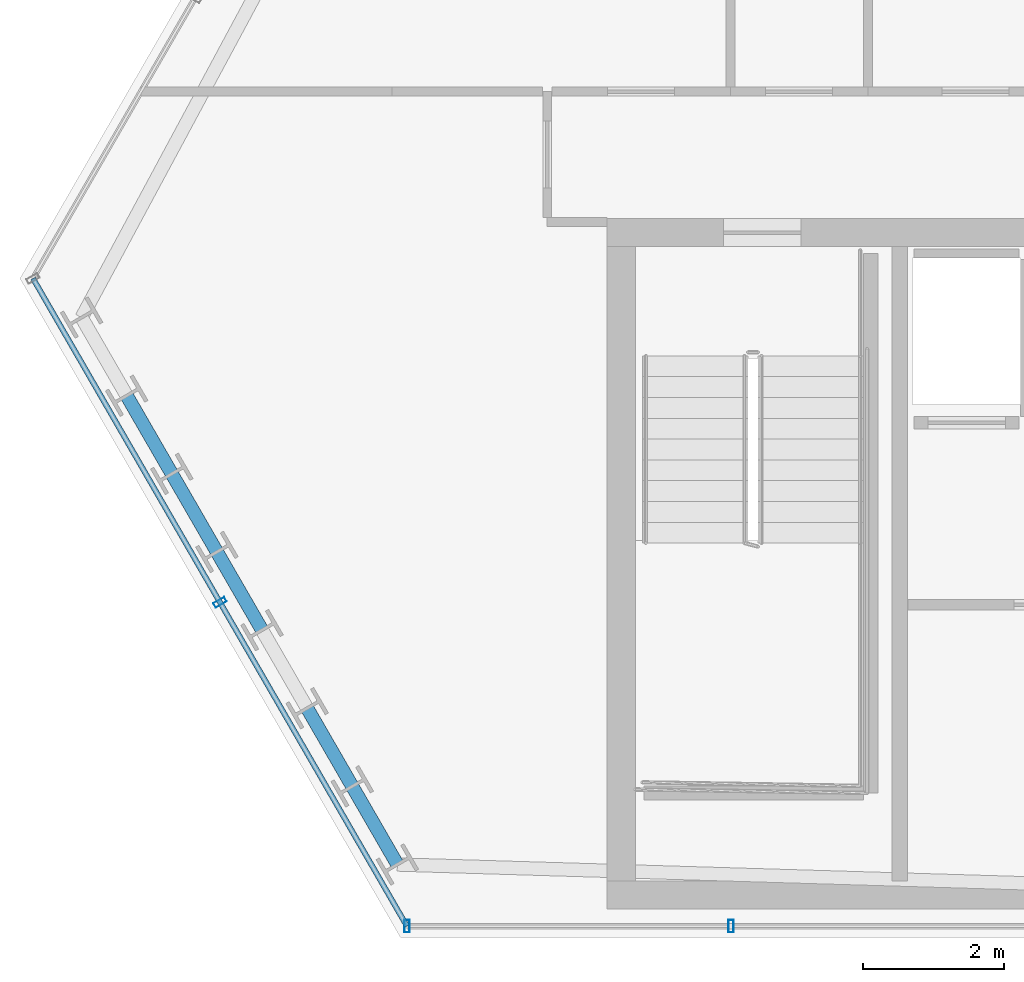
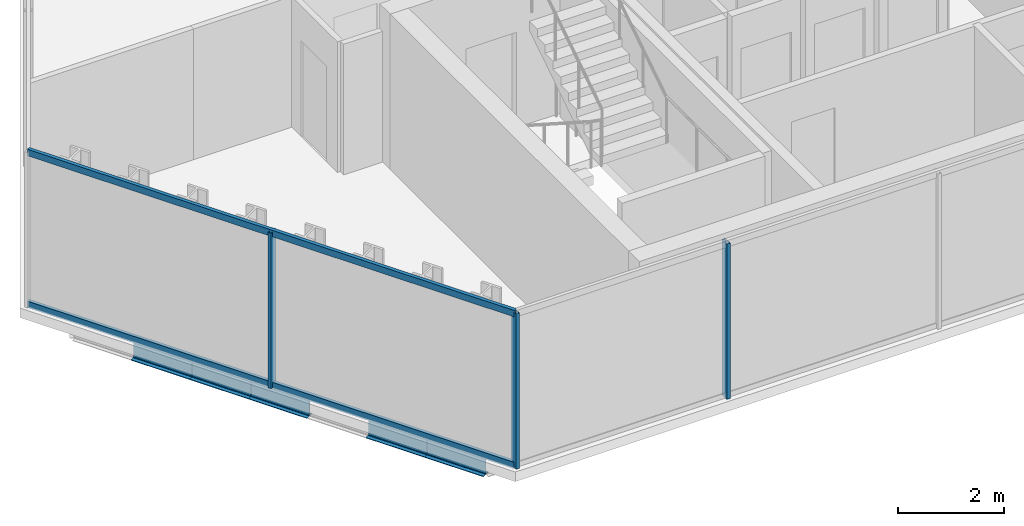
# One storey, part 2 of 33: 5 beams, 5 members, 2 elements without a shape of their own.
"""IFC4 building model written with IfcOpenShell, lengths in metres."""

from ifc_helpers import new_model, si_unit, direction, frame, origin, origin_2d, place, context, subcontext, project, spatial, hollow_rectangle, i_section, extrude, material, layer, layer_set, material_profile, profile_set, type_object, element, aggregate, save


model = new_model("IFC4")

# Units and contexts
model_context = context("Model", 3, precision=1e-05, world=origin(), true_north=direction((0.0, 1.0)))
body_context = subcontext(model_context, "Body", "Model", "MODEL_VIEW")
ifc_project = project(units=[si_unit("LENGTHUNIT", "METRE"), si_unit("AREAUNIT", "SQUARE_METRE"), si_unit("VOLUMEUNIT", "CUBIC_METRE"), si_unit("PLANEANGLEUNIT", "RADIAN"), si_unit("MASSUNIT", "GRAM", prefix="KILO")], contexts=[model_context])

# Site, building, storey
site_placement = place(None, origin())
site = spatial("IfcSite", under=ifc_project, at=site_placement, CompositionType="ELEMENT")
building_placement = place(site_placement, origin())
building = spatial("IfcBuilding", under=site, at=building_placement, Name="Ndaravel Arena Tower", CompositionType="ELEMENT")
storey_placement = place(building_placement, frame((0.0, 0.0, 165.0)))
storey = spatial("IfcBuildingStorey", under=building, at=storey_placement, Name="L39", CompositionType="ELEMENT", Elevation=165.0)

# Beams
ifc_material_1 = material(Name="Steel S355", Category="steel")
ifc_material_profile_1 = material_profile(ifc_material_1, i_section(OverallWidth=0.18994140625, OverallDepth=0.449951171875, WebThickness=0.009521484375, FlangeThickness=0.0146484375, FilletRadius=0.02099609375, at=origin_2d()), Name="IPE 450")
ifc_profile_set_1 = profile_set([ifc_material_profile_1], Name="Steel S355")
beam_type = type_object("IfcBeamType", Name="BM-SPAN-IPE450", PredefinedType="SPANDREL", material=ifc_profile_set_1)
beam_1_placement = place(storey_placement, frame((19.634033203125, 12.685546875, -0.445068359375), z_axis=(0.500036104519, -0.866004557827, 0.0), x_axis=(0.866004557827, 0.500036104519, 0.0)))
element("IfcBeam", 1, at=beam_1_placement, inside=storey, type_object=beam_type, Name="L39 Perimeter Spandrel Beam SP-21", PredefinedType="SPANDREL", context=body_context, shape_type="SweptSolid", body=[
    extrude(i_section(OverallWidth=0.18994140625, OverallDepth=0.449951171875, WebThickness=0.009521484375, FlangeThickness=0.0146484375, FilletRadius=0.02099609375, at=origin_2d()), origin(), (0.0, 0.0, 1.0), 1.2802734375),
])
beam_2_placement = place(storey_placement, frame((20.274169921875, 11.576904296875, -0.445068359375), z_axis=(0.499975646431, -0.866039463868, 0.0), x_axis=(0.866039463868, 0.499975646431, 0.0)))
element("IfcBeam", 2, at=beam_2_placement, inside=storey, type_object=beam_type, Name="L39 Perimeter Spandrel Beam SP-22", PredefinedType="SPANDREL", context=body_context, shape_type="SweptSolid", body=[
    extrude(i_section(OverallWidth=0.18994140625, OverallDepth=0.449951171875, WebThickness=0.009521484375, FlangeThickness=0.0146484375, FilletRadius=0.02099609375, at=origin_2d()), origin(), (0.0, 0.0, 1.0), 1.27978515625),
])
for number, where, z_axis, x_axis, name in (
    (3, (20.9140625, 10.468505859375, -0.445068359375), (0.500036104519, -0.866004557827, 0.0), (0.866004557827, 0.500036104519, 0.0), "L39 Perimeter Spandrel Beam SP-23"),
    (4, (22.194091796875, 8.25146484375, -0.445068359375), (0.500036104519, -0.866004557827, 0.0), (0.866004557827, 0.500036104519, 0.0), "L39 Perimeter Spandrel Beam SP-25"),
):
    element("IfcBeam", number, at=place(storey_placement, frame(where, z_axis=z_axis, x_axis=x_axis)), inside=storey, type_object=beam_type, Name=name, PredefinedType="SPANDREL", context=body_context, shape_type="SweptSolid", body=[
        extrude(i_section(OverallWidth=0.18994140625, OverallDepth=0.449951171875, WebThickness=0.009521484375, FlangeThickness=0.0146484375, FilletRadius=0.02099609375, at=origin_2d()), origin(), (0.0, 0.0, 1.0), 1.2802734375),
    ])
beam_3_placement = place(storey_placement, frame((22.834228515625, 7.142822265625, -0.445068359375), z_axis=(0.499893060024, -0.866087136806, 0.0), x_axis=(0.866087136806, 0.499893060024, 0.0)))
element("IfcBeam", 5, at=beam_3_placement, inside=storey, type_object=beam_type, Name="L39 Perimeter Spandrel Beam SP-26", PredefinedType="SPANDREL", context=body_context, shape_type="SweptSolid", body=[
    extrude(i_section(OverallWidth=0.18994140625, OverallDepth=0.449951171875, WebThickness=0.009521484375, FlangeThickness=0.0146484375, FilletRadius=0.02099609375, at=origin_2d()), origin(), (0.0, 0.0, 1.0), 1.280029296875),
])

# Curtain wall, members
ifc_material_2 = material(Name="Aluminium", Category="aluminium")
ifc_layer_1 = layer(ifc_material_2, 0.179931640625)
ifc_layer_set_1 = layer_set([ifc_layer_1], Name="Aluminium")
curtain_wall_type_1 = type_object("IfcCurtainWallType", Name="CW-SYS-03", PredefinedType="NOTDEFINED", material=ifc_layer_set_1)
curtain_wall_1_placement = place(storey_placement, origin())
curtain_wall_1 = element("IfcCurtainWall", 6, at=curtain_wall_1_placement, inside=storey, type_object=curtain_wall_type_1, Name="L39 Faceted Crystal Curtain Wall CW-L39-E01", PredefinedType="NOTDEFINED")
ifc_material_3 = material(Name="Aluminium", Category="aluminium")
ifc_material_profile_2 = material_profile(ifc_material_3, hollow_rectangle(XDim=0.074951171875, YDim=0.179931640625, WallThickness=0.00390625, at=origin_2d()), Name="CW MULLION 75x180x4")
ifc_profile_set_2 = profile_set([ifc_material_profile_2], Name="Aluminium")
member_type_1 = type_object("IfcMemberType", Name="MEM-CW-MUL180", PredefinedType="MULLION", material=ifc_profile_set_2)
member_1_placement = place(storey_placement, frame((23.609619140625, 5.159912109375, 0.0), z_axis=(0.0, 0.0, 1.0), x_axis=(1.0, 0.0, 0.0)))
member_1 = element("IfcMember", 7, at=member_1_placement, type_object=member_type_1, Name="CW-L39-E01 Mullion 00", PredefinedType="MULLION", context=body_context, shape_type="SweptSolid", body=[
    extrude(hollow_rectangle(XDim=0.074951171875, YDim=0.179931640625, WallThickness=0.00390625, at=origin_2d()), origin(), (0.0, 0.0, 1.0), 3.580078125),
])
member_2_placement = place(storey_placement, frame((28.20703125, 5.159912109375, 0.0), z_axis=(0.0, 0.0, 1.0), x_axis=(1.0, 0.0, 0.0)))
member_2 = element("IfcMember", 8, at=member_2_placement, type_object=member_type_1, Name="CW-L39-E01 Mullion 01", PredefinedType="MULLION", context=body_context, shape_type="SweptSolid", body=[
    extrude(hollow_rectangle(XDim=0.074951171875, YDim=0.179931640625, WallThickness=0.00390625, at=origin_2d()), origin(), (0.0, 0.0, 1.0), 3.580078125),
])
aggregate(curtain_wall_1, [member_1, member_2])

ifc_material_4 = material(Name="Aluminium", Category="aluminium")
ifc_layer_2 = layer(ifc_material_4, 0.179931640625)
ifc_layer_set_2 = layer_set([ifc_layer_2], Name="Aluminium")
curtain_wall_type_2 = type_object("IfcCurtainWallType", Name="CW-SYS-02", PredefinedType="NOTDEFINED", material=ifc_layer_set_2)
curtain_wall_2_placement = place(storey_placement, origin())
curtain_wall_2 = element("IfcCurtainWall", 9, at=curtain_wall_2_placement, inside=storey, type_object=curtain_wall_type_2, Name="L39 Faceted Crystal Curtain Wall CW-L39-E06", PredefinedType="NOTDEFINED")
member_3_placement = place(storey_placement, frame((20.95703125, 9.754150390625, 0.0), z_axis=(0.0, 0.0, 1.0), x_axis=(0.5, -0.866025403784, 0.0)))
member_3 = element("IfcMember", 10, at=member_3_placement, type_object=member_type_1, Name="CW-L39-E06 Mullion 01", PredefinedType="MULLION", context=body_context, shape_type="SweptSolid", body=[
    extrude(hollow_rectangle(XDim=0.074951171875, YDim=0.179931640625, WallThickness=0.00390625, at=origin_2d()), origin(), (0.0, 0.0, 1.0), 3.580078125),
])
ifc_material_5 = material(Name="Aluminium", Category="aluminium")
ifc_material_profile_3 = material_profile(ifc_material_5, hollow_rectangle(XDim=0.074951171875, YDim=0.14990234375, WallThickness=0.00390625, at=origin_2d()), Name="CW TRANSOM 75x150x4")
ifc_profile_set_3 = profile_set([ifc_material_profile_3], Name="Aluminium")
member_type_2 = type_object("IfcMemberType", Name="MEM-CW-TRN150", PredefinedType="USERDEFINED", material=ifc_profile_set_3)
member_4_placement = place(storey_placement, frame((18.3046875, 14.348388671875, 0.0400390625), z_axis=(0.499997329654, -0.866026945504, 0.0), x_axis=(0.866026945504, 0.499997329654, 0.0)))
member_4 = element("IfcMember", 11, at=member_4_placement, type_object=member_type_2, Name="CW-L39-E06 Transom 01", ObjectType="TRANSOM", PredefinedType="USERDEFINED", context=body_context, shape_type="SweptSolid", body=[
    extrude(hollow_rectangle(XDim=0.074951171875, YDim=0.14990234375, WallThickness=0.00390625, at=origin_2d()), origin(), (0.0, 0.0, 1.0), 10.60986328125),
])
member_5_placement = place(storey_placement, frame((18.3046875, 14.348388671875, 3.5400390625), z_axis=(0.499997329654, -0.866026945504, 0.0), x_axis=(0.866026945504, 0.499997329654, 0.0)))
member_5 = element("IfcMember", 12, at=member_5_placement, type_object=member_type_2, Name="CW-L39-E06 Transom 02", ObjectType="TRANSOM", PredefinedType="USERDEFINED", context=body_context, shape_type="SweptSolid", body=[
    extrude(hollow_rectangle(XDim=0.074951171875, YDim=0.14990234375, WallThickness=0.00390625, at=origin_2d()), origin(), (0.0, 0.0, 1.0), 10.60986328125),
])
aggregate(curtain_wall_2, [member_3, member_4, member_5])

save(model, "model.ifc")
